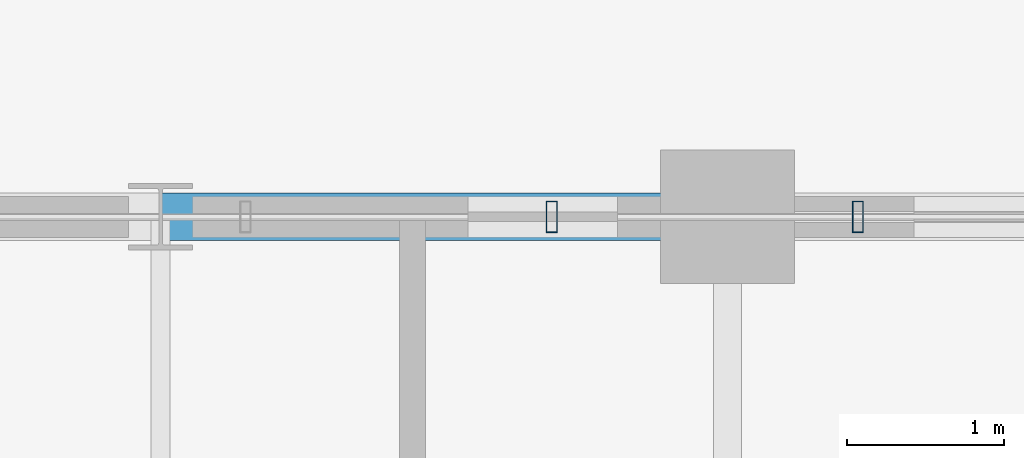
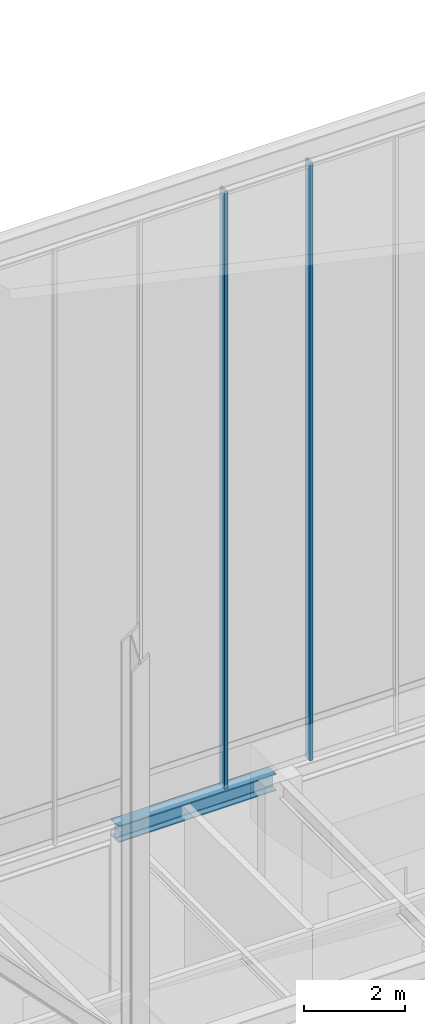
# One storey, part 38 of 49: 2 members, 1 beam, 1 element without a shape of its own.
"""IFC4 building model written with IfcOpenShell, lengths in metres."""

from ifc_helpers import new_model, si_unit, direction, frame, origin, origin_2d, place, context, subcontext, project, spatial, hollow_rectangle, i_section, extrude, source, transform, mapped, material, layer, layer_set, material_profile, profile_set, type_object, element, aggregate, save


model = new_model("IFC4")

# Units and contexts
model_context = context("Model", 3, precision=1e-05, world=origin(), true_north=direction((0.0, 1.0)))
body_context = subcontext(model_context, "Body", "Model", "MODEL_VIEW")
ifc_project = project(units=[si_unit("LENGTHUNIT", "METRE"), si_unit("AREAUNIT", "SQUARE_METRE"), si_unit("VOLUMEUNIT", "CUBIC_METRE"), si_unit("PLANEANGLEUNIT", "RADIAN"), si_unit("MASSUNIT", "GRAM", prefix="KILO")], contexts=[model_context])

# Site, building, storey
site_placement = place(None, origin())
site = spatial("IfcSite", under=ifc_project, at=site_placement, CompositionType="ELEMENT")
building_placement = place(site_placement, origin())
building = spatial("IfcBuilding", under=site, at=building_placement, Name="Kaliganga Portal Commons", CompositionType="ELEMENT")
storey_placement = place(building_placement, frame((0.0, 0.0, 298.0)))
storey = spatial("IfcBuildingStorey", under=building, at=storey_placement, Name="L77", CompositionType="ELEMENT", Elevation=298.0)

# Beam
ifc_material_1 = material(Name="Structural steel S355J2", Category="steel")
ifc_material_profile_1 = material_profile(ifc_material_1, i_section(OverallWidth=0.300048828125, OverallDepth=0.39990234375, WebThickness=0.013427734375, FlangeThickness=0.02392578125, FilletRadius=0.027099609375, at=origin_2d()), Name="HE 400 B")
ifc_profile_set_1 = profile_set([ifc_material_profile_1], Name="Structural steel S355J2 wide-flange")
beam_type = type_object("IfcBeamType", Name="BM-SPAND-400", PredefinedType="SPANDREL", material=ifc_profile_set_1)
shared_shape_1 = source(origin(), body_context, "Body", "SweptSolid", [
    extrude(i_section(OverallWidth=0.300048828125, OverallDepth=0.39990234375, WebThickness=0.013427734375, FlangeThickness=0.02392578125, FilletRadius=0.027099609375, at=origin_2d()), origin(), (0.0, 0.0, 1.0), 3.60009765625),
])
beam_placement = place(storey_placement, frame((32.39990234375, 43.199951171875, 5.800048828125), z_axis=(1.0, 0.0, 0.0), x_axis=(0.0, 1.0, 0.0)))
element("IfcBeam", 1, at=beam_placement, inside=storey, type_object=beam_type, Name="BM SP L77 AN 6", PredefinedType="SPANDREL", context=body_context, shape_type="MappedRepresentation", body=[
    mapped(shared_shape_1, transform((0.0, 0.0, 0.0), x_axis=(1.0, 0.0, 0.0), y_axis=(0.0, 1.0, 0.0), z_axis=(0.0, 0.0, 1.0), scale=1.0)),
])

# Curtain wall, members
ifc_material_2 = material(Name="Anodized Aluminium and Laminated Low-E Glass", Category="aluminium")
ifc_layer = layer(ifc_material_2, 0.25)
ifc_layer_set = layer_set([ifc_layer], Name="Anodized Aluminium and Laminated Low-E Glass")
curtain_wall_type = type_object("IfcCurtainWallType", Name="CW-SYS-06", PredefinedType="NOTDEFINED", material=ifc_layer_set)
curtain_wall_placement = place(storey_placement, origin())
curtain_wall = element("IfcCurtainWall", 2, at=curtain_wall_placement, inside=storey, type_object=curtain_wall_type, Name="CW 06 L77 NE", PredefinedType="NOTDEFINED")
ifc_material_3 = material(Name="Dark Bronze Anodized Aluminium", Category="aluminium")
ifc_material_profile_2 = material_profile(ifc_material_3, hollow_rectangle(XDim=0.070068359375, YDim=0.199951171875, WallThickness=0.00390625, at=origin_2d()), Name="ALU MULL 70x200x4")
ifc_profile_set_2 = profile_set([ifc_material_profile_2], Name="Dark Bronze Anodized Aluminium")
member_type = type_object("IfcMemberType", Name="CW-MUL-220", PredefinedType="MULLION", material=ifc_profile_set_2)
shared_shape_2 = source(origin(), body_context, "Body", "SweptSolid", [
    extrude(hollow_rectangle(XDim=0.070068359375, YDim=0.199951171875, WallThickness=0.00390625, at=origin_2d()), origin(), (0.0, 0.0, 1.0), 14.39990234375),
])
member_1_placement = place(storey_placement, frame((36.827880859375, 43.199951171875, 6.0), z_axis=(0.0, 0.0, 1.0), x_axis=(-1.0, 0.0, 0.0)))
member_1 = element("IfcMember", 3, at=member_1_placement, type_object=member_type, Name="CW:06:L77:NE Mullion 05", PredefinedType="MULLION", context=body_context, shape_type="MappedRepresentation", body=[
    mapped(shared_shape_2, transform((0.0, 0.0, 0.0), x_axis=(1.0, 0.0, 0.0), y_axis=(0.0, 1.0, 0.0), z_axis=(0.0, 0.0, 1.0), scale=1.0)),
])
member_2_placement = place(storey_placement, frame((34.88330078125, 43.199951171875, 6.0), z_axis=(0.0, 0.0, 1.0), x_axis=(-1.0, 0.0, 0.0)))
member_2 = element("IfcMember", 4, at=member_2_placement, type_object=member_type, Name="CW:06:L77:NE Mullion 06", PredefinedType="MULLION", context=body_context, shape_type="MappedRepresentation", body=[
    mapped(shared_shape_2, transform((0.0, 0.0, 0.0), x_axis=(1.0, 0.0, 0.0), y_axis=(0.0, 1.0, 0.0), z_axis=(0.0, 0.0, 1.0), scale=1.0)),
])
aggregate(curtain_wall, [member_1, member_2])

save(model, "model.ifc")
